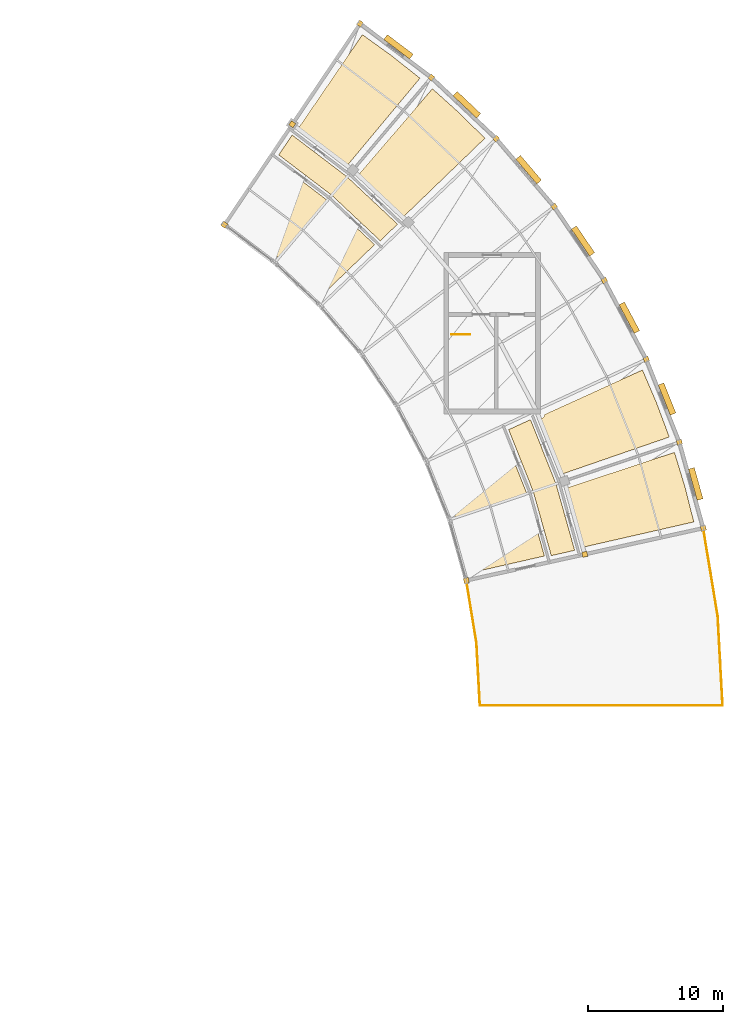
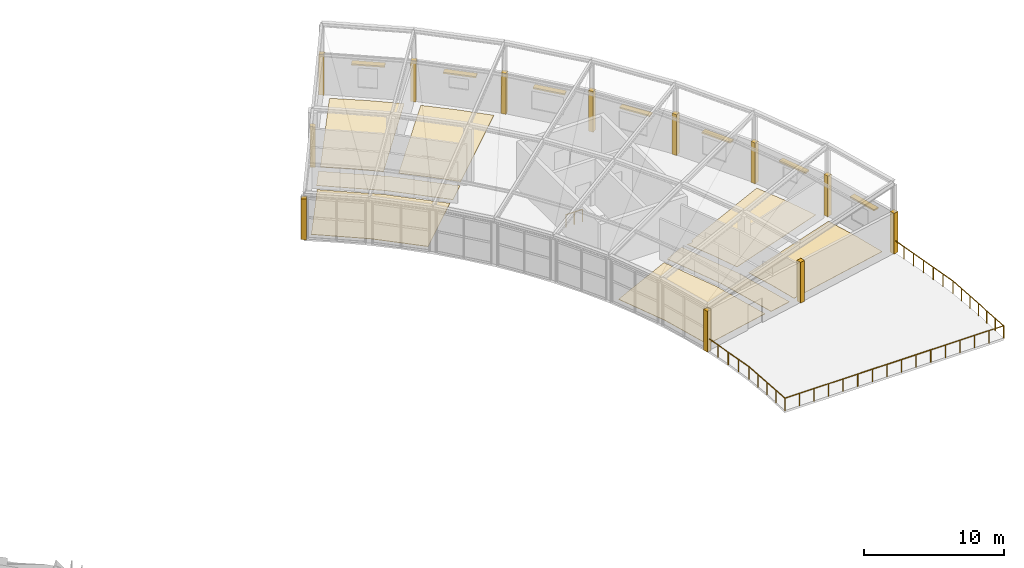
# One storey, part 35 of 36: 20 coverings, 7 shading devices, 6 railings.
"""IFC4 building model written with IfcOpenShell, lengths in metres."""

from ifc_helpers import new_model, si_unit, direction, frame, origin, origin_2d, place, context, subcontext, project, spatial, polyline, rectangle, circle, outline, extrude, material, layer, layer_set, type_object, element, save


model = new_model("IFC4")

# Units and contexts
model_context = context("Model", 3, precision=1e-05, world=origin(), true_north=direction((0.0, 1.0)))
body_context = subcontext(model_context, "Body", "Model", "MODEL_VIEW")
ifc_project = project(units=[si_unit("LENGTHUNIT", "METRE"), si_unit("AREAUNIT", "SQUARE_METRE"), si_unit("VOLUMEUNIT", "CUBIC_METRE"), si_unit("PLANEANGLEUNIT", "RADIAN"), si_unit("MASSUNIT", "GRAM", prefix="KILO")], contexts=[model_context])

# Site, building, storey
site_placement = place(None, origin())
site = spatial("IfcSite", under=ifc_project, at=site_placement, CompositionType="ELEMENT")
building_placement = place(site_placement, origin())
building = spatial("IfcBuilding", under=site, at=building_placement, Name="Tarnveldt Headland Concert Hall", CompositionType="ELEMENT")
storey_placement = place(building_placement, frame((0.0, 0.0, 22.800048828125)))
storey = spatial("IfcBuildingStorey", under=building, at=storey_placement, Name="L05", CompositionType="ELEMENT", Elevation=22.800048828125)

# Coverings
ifc_material_1 = material(Name="Treated East African mvule hardwood", Category="wood")
ifc_layer_1 = layer(ifc_material_1, 0.028076171875, Name="Treated East African mvule hardwood", Category="wood")
ifc_layer_set_1 = layer_set([ifc_layer_1], Name="Treated East African mvule hardwood")
covering_type_1 = type_object("IfcCoveringType", Name="CV-FLOR28", PredefinedType="FLOORING", material=ifc_layer_set_1)
covering_1_placement = place(storey_placement, origin())
element("IfcCovering", 1, at=covering_1_placement, inside=storey, type_object=covering_type_1, Name="Architectural flooring L05-15-140", PredefinedType="FLOORING", context=body_context, shape_type="SweptSolid", body=[
    extrude(outline(polyline([(168.018310546875, 71.703369140625), (167.46142578125, 73.9033203125), (167.459228515625, 73.91162109375), (166.799072265625, 76.082763671875), (174.927490234375, 78.765869140625), (175.706787109375, 76.202880859375), (176.364013671875, 73.606201171875), (168.018310546875, 71.703369140625)])), origin(), (0.0, 0.0, 1.0), 0.02783203125),
])
ifc_material_2 = material(Name="Polished coral-aggregate cementitious terrazzo flooring", Category="concrete")
ifc_layer_2 = layer(ifc_material_2, 0.034912109375, Name="Polished coral-aggregate cementitious terrazzo flooring", Category="concrete")
ifc_layer_set_2 = layer_set([ifc_layer_2], Name="Polished coral-aggregate cementitious terrazzo flooring")
covering_type_2 = type_object("IfcCoveringType", Name="CV-FLOR35", PredefinedType="FLOORING", material=ifc_layer_set_2)
covering_2_placement = place(storey_placement, origin())
element("IfcCovering", 2, at=covering_2_placement, inside=storey, type_object=covering_type_2, Name="Architectural flooring L05-11-136", PredefinedType="FLOORING", context=body_context, shape_type="SweptSolid", body=[
    extrude(outline(polyline([(165.79052734375, 71.106689453125), (164.455810546875, 75.853515625), (164.44970703125, 75.87109375), (162.63232421875, 80.45458984375), (164.25048828125, 81.195068359375), (166.13916015625, 76.431884765625), (167.526123046875, 71.499267578125), (165.79052734375, 71.106689453125)])), origin(), (0.0, 0.0, 1.0), 0.034912109375),
])
covering_3_placement = place(storey_placement, origin())
element("IfcCovering", 3, at=covering_3_placement, inside=storey, type_object=covering_type_2, Name="Architectural flooring L05-12-137", PredefinedType="FLOORING", context=body_context, shape_type="SweptSolid", body=[
    extrude(outline(polyline([(153.10595703125, 94.460693359375), (149.510498046875, 97.835205078125), (149.496337890625, 97.84716796875), (145.572021484375, 100.83251953125), (146.57470703125, 102.302490234375), (150.65283203125, 99.2001953125), (154.38916015625, 95.69384765625), (153.10595703125, 94.460693359375)])), origin(), (0.0, 0.0, 1.0), 0.034912109375),
])
covering_4_placement = place(storey_placement, origin())
element("IfcCovering", 4, at=covering_4_placement, inside=storey, type_object=covering_type_2, Name="Architectural flooring L05-13-138", PredefinedType="FLOORING", context=body_context, shape_type="SweptSolid", body=[
    extrude(outline(polyline([(159.84326171875, 69.83935546875), (158.695556640625, 73.90771484375), (158.689697265625, 73.9248046875), (157.135009765625, 77.855712890625), (162.212890625, 80.16845703125), (163.97900390625, 75.7021484375), (165.283203125, 71.07958984375), (159.84326171875, 69.83935546875)])), origin(), (0.0, 0.0, 1.0), 0.034912109375),
])
covering_5_placement = place(storey_placement, origin())
element("IfcCovering", 5, at=covering_5_placement, inside=storey, type_object=covering_type_2, Name="Architectural flooring L05-14-139", PredefinedType="FLOORING", context=body_context, shape_type="SweptSolid", body=[
    extrude(outline(polyline([(148.6689453125, 90.302734375), (145.584228515625, 93.19287109375), (145.5703125, 93.20458984375), (142.208251953125, 95.766845703125), (145.360595703125, 100.37060546875), (149.180419921875, 97.45947265625), (152.685546875, 94.175537109375), (148.6689453125, 90.302734375)])), origin(), (0.0, 0.0, 1.0), 0.034912109375),
])
covering_6_placement = place(storey_placement, origin())
element("IfcCovering", 6, at=covering_6_placement, inside=storey, type_object=covering_type_2, Name="Architectural flooring L05-16-141", PredefinedType="FLOORING", context=body_context, shape_type="SweptSolid", body=[
    extrude(outline(polyline([(165.10009765625, 81.320068359375), (165.11767578125, 81.32080078125), (165.135009765625, 81.323486328125), (165.15234375, 81.327880859375), (165.1689453125, 81.333740234375), (165.184814453125, 81.34130859375), (165.199951171875, 81.350341796875), (165.214111328125, 81.36083984375), (165.227294921875, 81.372802734375), (165.239013671875, 81.3857421875), (165.249755859375, 81.39990234375), (165.2587890625, 81.4150390625), (165.266357421875, 81.43115234375), (165.272216796875, 81.44775390625), (165.276611328125, 81.46484375), (165.279052734375, 81.482421875), (165.280029296875, 81.5), (165.280029296875, 81.565673828125), (172.555419921875, 84.87939453125), (173.60791015625, 82.416259765625), (174.54248046875, 79.906005859375), (166.4521484375, 77.10986328125), (165.660400390625, 79.236572265625), (165.656982421875, 79.244384765625), (164.7705078125, 81.320068359375), (165.10009765625, 81.320068359375)])), origin(), (0.0, 0.0, 1.0), 0.034912109375),
])
covering_7_placement = place(storey_placement, origin())
element("IfcCovering", 7, at=covering_7_placement, inside=storey, type_object=covering_type_2, Name="Architectural flooring L05-17-142", PredefinedType="FLOORING", context=body_context, shape_type="SweptSolid", body=[
    extrude(outline(polyline([(154.759765625, 96.175537109375), (154.704833984375, 96.122802734375), (153.091552734375, 97.71875), (153.08544921875, 97.724609375), (151.398193359375, 99.2421875), (151.43017578125, 99.279296875), (151.504150390625, 99.279296875), (151.504150390625, 99.36572265625), (156.971435546875, 105.739501953125), (158.962646484375, 103.94775390625), (160.866943359375, 102.064208984375), (154.84326171875, 96.256103515625), (154.759765625, 96.256103515625), (154.759765625, 96.175537109375)])), origin(), (0.0, 0.0, 1.0), 0.034912109375),
])
covering_8_placement = place(storey_placement, origin())
element("IfcCovering", 8, at=covering_8_placement, inside=storey, type_object=covering_type_2, Name="Architectural flooring L05-18-143", PredefinedType="FLOORING", context=body_context, shape_type="SweptSolid", body=[
    extrude(outline(polyline([(150.654296875, 100.04248046875), (150.570556640625, 99.9423828125), (148.793701171875, 101.35400390625), (148.787109375, 101.359130859375), (146.94580078125, 102.68505859375), (147.0029296875, 102.68505859375), (147.0029296875, 102.76953125), (151.781494140625, 109.748046875), (153.955078125, 108.182861328125), (156.052490234375, 106.5166015625), (150.7265625, 100.12939453125), (150.654296875, 100.12939453125), (150.654296875, 100.04248046875)])), origin(), (0.0, 0.0, 1.0), 0.034912109375),
])
ifc_material_3 = material(Name="Coral-toned precast concrete C40/50", Category="concrete")
ifc_layer_3 = layer(ifc_material_3, 0.360107421875, Name="Coral-toned precast concrete C40/50", Category="concrete")
ifc_layer_set_3 = layer_set([ifc_layer_3], Name="Coral-toned precast concrete C40/50")
covering_type_3 = type_object("IfcCoveringType", Name="CV-JNT360", PredefinedType="CLADDING", material=ifc_layer_set_3)
for number, where, z_axis, x_axis, name in (
    (9, (141.54541015625, 95.648681640625, 0.0), (0.0, 0.0, 1.0), (0.559192903471, 0.829037572555, 0.0), "Precast facade joint closure pilaster L05-383"),
    (10, (146.577880859375, 103.110107421875, 0.0), (0.0, 0.0, 1.0), (0.559192903471, 0.829037572555, 0.0), "Precast facade joint closure pilaster L05-384"),
    (11, (151.61083984375, 110.5712890625, 0.0), (0.0, 0.0, 1.0), (0.797478637023, -0.603347183213, 0.0), "Precast facade joint closure pilaster L05-385"),
):
    element("IfcCovering", number, at=place(storey_placement, frame(where, z_axis=z_axis, x_axis=x_axis)), inside=storey, type_object=covering_type_3, Name=name, PredefinedType="CLADDING", context=body_context, shape_type="SweptSolid", body=[
        extrude(rectangle(XDim=0.3798828125, YDim=0.3798828125, at=origin_2d()), origin(), (0.0, 0.0, 1.0), 3.5380859375),
    ])
for number, where, z_axis, x_axis, name in (
    (12, (156.89111328125, 106.576416015625, 0.0), (0.0, 0.0, 1.0), (0.727413564262, -0.686199319824, 0.0), "Precast facade joint closure pilaster L05-386"),
    (13, (159.48974609375, 69.26611328125, 0.0), (0.0, 0.0, 1.0), (-0.976522126798, -0.215417120661, 0.0), "Precast facade joint closure pilaster L05-387"),
    (14, (161.70703125, 102.032470703125, 0.0), (0.0, 0.0, 1.0), (0.648651397111, -0.761085648942, 0.0), "Precast facade joint closure pilaster L05-388"),
    (15, (166.00244140625, 96.993408203125, 0.0), (0.0, 0.0, 1.0), (0.562372049186, -0.826884319778, 0.0), "Precast facade joint closure pilaster L05-389"),
    (16, (168.2783203125, 71.20556640625, 0.0), (0.0, 0.0, 1.0), (-0.976522126798, -0.215417120661, 0.0), "Precast facade joint closure pilaster L05-390"),
    (17, (169.726318359375, 91.518798828125, 0.0), (0.0, 0.0, 1.0), (0.469471562786, -0.882947592859, 0.0), "Precast facade joint closure pilaster L05-391"),
    (18, (172.834716796875, 85.672607421875, 0.0), (0.0, 0.0, 1.0), (0.371043710237, -0.928615402141, 0.0), "Precast facade joint closure pilaster L05-392"),
    (19, (175.291259765625, 79.523681640625, 0.0), (0.0, 0.0, 1.0), (0.268079200424, -0.963396876837, 0.0), "Precast facade joint closure pilaster L05-393"),
    (20, (177.06689453125, 73.14501953125, 0.0), (0.0, 0.0, 1.0), (0.268079200424, -0.963396876837, 0.0), "Precast facade joint closure pilaster L05-394"),
):
    element("IfcCovering", number, at=place(storey_placement, frame(where, z_axis=z_axis, x_axis=x_axis)), inside=storey, type_object=covering_type_3, Name=name, PredefinedType="CLADDING", context=body_context, shape_type="SweptSolid", body=[
        extrude(rectangle(XDim=0.3798828125, YDim=0.3798828125, at=origin_2d()), origin(), (0.0, 0.0, 1.0), 3.54296875),
    ])

# Railings
ifc_material_4 = material(Name="Marine stainless steel", Category="steel")
ifc_layer_4 = layer(ifc_material_4, 0.074951171875, Name="Marine stainless steel", Category="steel")
ifc_layer_set_4 = layer_set([ifc_layer_4], Name="Marine stainless steel")
railing_type_1 = type_object("IfcRailingType", Name="RL-BAL110", PredefinedType="BALUSTRADE", material=ifc_layer_set_4)
railing_1_placement = place(storey_placement, frame((160.5, 60.0, 0.0)))
element("IfcRailing", 21, at=railing_1_placement, inside=storey, type_object=railing_type_1, Name="GUARD Crescent terrace south balustrade L05", PredefinedType="BALUSTRADE", context=body_context, shape_type="SweptSolid", body=[
    extrude(circle(Radius=0.02392578125, at=origin_2d()), frame((0.0, 0.0, 1.076171875), z_axis=(1.0, 0.0, 0.0), x_axis=(0.0, 1.0, 0.0)), (0.0, 0.0, 1.0), 18.0),
    extrude(circle(Radius=0.02099609375, at=origin_2d()), origin(), (0.0, 0.0, 1.0), 1.052001953125),
    extrude(circle(Radius=0.02099609375, at=origin_2d()), frame((1.199951171875, 0.0, 0.0)), (0.0, 0.0, 1.0), 1.052001953125),
    extrude(circle(Radius=0.02099609375, at=origin_2d()), frame((2.39990234375, 0.0, 0.0)), (0.0, 0.0, 1.0), 1.052001953125),
    extrude(circle(Radius=0.02099609375, at=origin_2d()), frame((3.60009765625, 0.0, 0.0)), (0.0, 0.0, 1.0), 1.052001953125),
    extrude(circle(Radius=0.02099609375, at=origin_2d()), frame((4.800048828125, 0.0, 0.0)), (0.0, 0.0, 1.0), 1.052001953125),
    extrude(circle(Radius=0.02099609375, at=origin_2d()), frame((6.0, 0.0, 0.0)), (0.0, 0.0, 1.0), 1.052001953125),
    extrude(circle(Radius=0.02099609375, at=origin_2d()), frame((7.199951171875, 0.0, 0.0)), (0.0, 0.0, 1.0), 1.052001953125),
    extrude(circle(Radius=0.02099609375, at=origin_2d()), frame((8.39990234375, 0.0, 0.0)), (0.0, 0.0, 1.0), 1.052001953125),
    extrude(circle(Radius=0.02099609375, at=origin_2d()), frame((9.60009765625, 0.0, 0.0)), (0.0, 0.0, 1.0), 1.052001953125),
    extrude(circle(Radius=0.02099609375, at=origin_2d()), frame((10.800048828125, 0.0, 0.0)), (0.0, 0.0, 1.0), 1.052001953125),
    extrude(circle(Radius=0.02099609375, at=origin_2d()), frame((12.0, 0.0, 0.0)), (0.0, 0.0, 1.0), 1.052001953125),
    extrude(circle(Radius=0.02099609375, at=origin_2d()), frame((13.199951171875, 0.0, 0.0)), (0.0, 0.0, 1.0), 1.052001953125),
    extrude(circle(Radius=0.02099609375, at=origin_2d()), frame((14.39990234375, 0.0, 0.0)), (0.0, 0.0, 1.0), 1.052001953125),
    extrude(circle(Radius=0.02099609375, at=origin_2d()), frame((15.60009765625, 0.0, 0.0)), (0.0, 0.0, 1.0), 1.052001953125),
    extrude(circle(Radius=0.02099609375, at=origin_2d()), frame((16.800048828125, 0.0, 0.0)), (0.0, 0.0, 1.0), 1.052001953125),
    extrude(circle(Radius=0.02099609375, at=origin_2d()), frame((18.0, 0.0, 0.0)), (0.0, 0.0, 1.0), 1.052001953125),
])
railing_2_placement = place(storey_placement, frame((160.5, 60.0, 0.0)))
element("IfcRailing", 22, at=railing_2_placement, inside=storey, type_object=railing_type_1, Name="GUARD Crescent terrace inner balustrade L05-9", PredefinedType="BALUSTRADE", context=body_context, shape_type="SweptSolid", body=[
    extrude(circle(Radius=0.02392578125, at=origin_2d()), frame((0.0, 0.0, 1.076171875), z_axis=(-0.054293816294, 0.998525002948, 0.0), x_axis=(-0.998525002948, -0.054293816294, 0.0)), (0.0, 0.0, 1.0), 4.66748046875),
    extrude(circle(Radius=0.02099609375, at=origin_2d()), origin(), (0.0, 0.0, 1.0), 1.052001953125),
    extrude(circle(Radius=0.02099609375, at=origin_2d()), frame((-0.0634765625, 1.1650390625, 0.0)), (0.0, 0.0, 1.0), 1.052001953125),
    extrude(circle(Radius=0.02099609375, at=origin_2d()), frame((-0.126708984375, 2.330322265625, 0.0)), (0.0, 0.0, 1.0), 1.052001953125),
    extrude(circle(Radius=0.02099609375, at=origin_2d()), frame((-0.18994140625, 3.49560546875, 0.0)), (0.0, 0.0, 1.0), 1.052001953125),
    extrude(circle(Radius=0.02099609375, at=origin_2d()), frame((-0.25341796875, 4.66064453125, 0.0)), (0.0, 0.0, 1.0), 1.052001953125),
])
railing_3_placement = place(storey_placement, frame((178.5, 60.0, 0.0)))
element("IfcRailing", 23, at=railing_3_placement, inside=storey, type_object=railing_type_1, Name="GUARD Crescent terrace outer balustrade L05-9", PredefinedType="BALUSTRADE", context=body_context, shape_type="SweptSolid", body=[
    extrude(circle(Radius=0.02392578125, at=origin_2d()), frame((0.0, 0.0, 1.076171875), z_axis=(-0.05427533265, 0.998526007806, 0.0), x_axis=(-0.998526007806, -0.05427533265, 0.0)), (0.0, 0.0, 1.0), 6.621337890625),
    extrude(circle(Radius=0.02099609375, at=origin_2d()), origin(), (0.0, 0.0, 1.0), 1.052001953125),
    extrude(circle(Radius=0.02099609375, at=origin_2d()), frame((-0.059814453125, 1.10205078125, 0.0)), (0.0, 0.0, 1.0), 1.052001953125),
    extrude(circle(Radius=0.02099609375, at=origin_2d()), frame((-0.119873046875, 2.203857421875, 0.0)), (0.0, 0.0, 1.0), 1.052001953125),
    extrude(circle(Radius=0.02099609375, at=origin_2d()), frame((-0.1796875, 3.3056640625, 0.0)), (0.0, 0.0, 1.0), 1.052001953125),
    extrude(circle(Radius=0.02099609375, at=origin_2d()), frame((-0.239501953125, 4.40771484375, 0.0)), (0.0, 0.0, 1.0), 1.052001953125),
    extrude(circle(Radius=0.02099609375, at=origin_2d()), frame((-0.299560546875, 5.509765625, 0.0)), (0.0, 0.0, 1.0), 1.052001953125),
    extrude(circle(Radius=0.02099609375, at=origin_2d()), frame((-0.359375, 6.611572265625, 0.0)), (0.0, 0.0, 1.0), 1.052001953125),
])
railing_4_placement = place(storey_placement, frame((160.24658203125, 64.66064453125, 0.0)))
element("IfcRailing", 24, at=railing_4_placement, inside=storey, type_object=railing_type_1, Name="GUARD Crescent terrace inner balustrade L05-10", PredefinedType="BALUSTRADE", context=body_context, shape_type="SweptSolid", body=[
    extrude(circle(Radius=0.02392578125, at=origin_2d()), frame((0.0, 0.0, 1.076171875), z_axis=(-0.162159155586, 0.986764616441, 0.0), x_axis=(-0.986764616441, -0.162159155586, 0.0)), (0.0, 0.0, 1.0), 4.667236328125),
    extrude(circle(Radius=0.02099609375, at=origin_2d()), origin(), (0.0, 0.0, 1.0), 1.052001953125),
    extrude(circle(Radius=0.02099609375, at=origin_2d()), frame((-0.189208984375, 1.1513671875, 0.0)), (0.0, 0.0, 1.0), 1.052001953125),
    extrude(circle(Radius=0.02099609375, at=origin_2d()), frame((-0.37841796875, 2.302734375, 0.0)), (0.0, 0.0, 1.0), 1.052001953125),
    extrude(circle(Radius=0.02099609375, at=origin_2d()), frame((-0.567626953125, 3.4541015625, 0.0)), (0.0, 0.0, 1.0), 1.052001953125),
    extrude(circle(Radius=0.02099609375, at=origin_2d()), frame((-0.7568359375, 4.60546875, 0.0)), (0.0, 0.0, 1.0), 1.052001953125),
])
railing_5_placement = place(storey_placement, frame((178.140625, 66.611572265625, 0.0)))
element("IfcRailing", 25, at=railing_5_placement, inside=storey, type_object=railing_type_1, Name="GUARD Crescent terrace outer balustrade L05-10", PredefinedType="BALUSTRADE", context=body_context, shape_type="SweptSolid", body=[
    extrude(circle(Radius=0.02392578125, at=origin_2d()), frame((0.0, 0.0, 1.076171875), z_axis=(-0.162168238057, 0.986763123838, 0.0), x_axis=(-0.986763123838, -0.162168238057, 0.0)), (0.0, 0.0, 1.0), 6.62109375),
    extrude(circle(Radius=0.02099609375, at=origin_2d()), origin(), (0.0, 0.0, 1.0), 1.052001953125),
    extrude(circle(Radius=0.02099609375, at=origin_2d()), frame((-0.178955078125, 1.0888671875, 0.0)), (0.0, 0.0, 1.0), 1.052001953125),
    extrude(circle(Radius=0.02099609375, at=origin_2d()), frame((-0.35791015625, 2.177734375, 0.0)), (0.0, 0.0, 1.0), 1.052001953125),
    extrude(circle(Radius=0.02099609375, at=origin_2d()), frame((-0.536865234375, 3.2666015625, 0.0)), (0.0, 0.0, 1.0), 1.052001953125),
    extrude(circle(Radius=0.02099609375, at=origin_2d()), frame((-0.7158203125, 4.355712890625, 0.0)), (0.0, 0.0, 1.0), 1.052001953125),
    extrude(circle(Radius=0.02099609375, at=origin_2d()), frame((-0.894775390625, 5.444580078125, 0.0)), (0.0, 0.0, 1.0), 1.052001953125),
    extrude(circle(Radius=0.02099609375, at=origin_2d()), frame((-1.07373046875, 6.533447265625, 0.0)), (0.0, 0.0, 1.0), 1.052001953125),
])
ifc_layer_5 = layer(ifc_material_4, 0.06005859375, Name="Marine stainless steel", Category="steel")
ifc_layer_set_5 = layer_set([ifc_layer_5], Name="Marine stainless steel")
railing_type_2 = type_object("IfcRailingType", Name="RL-GRD110", PredefinedType="GUARDRAIL", material=ifc_layer_set_5)
railing_6_placement = place(storey_placement, frame((158.39990234375, 87.52001953125, 0.0)))
element("IfcRailing", 26, at=railing_6_placement, inside=storey, type_object=railing_type_2, Name="GUARD STR-C3-L04 top well edge", PredefinedType="GUARDRAIL", context=body_context, shape_type="SweptSolid", body=[
    extrude(circle(Radius=0.02392578125, at=origin_2d()), frame((0.0, 0.0, 1.076171875), z_axis=(1.0, 0.0, 0.0), x_axis=(0.0, 1.0, 0.0)), (0.0, 0.0, 1.0), 1.35009765625),
    extrude(circle(Radius=0.02099609375, at=origin_2d()), origin(), (0.0, 0.0, 1.0), 1.052001953125),
    extrude(circle(Radius=0.02099609375, at=origin_2d()), frame((0.675048828125, 0.0, 0.0)), (0.0, 0.0, 1.0), 1.052001953125),
    extrude(circle(Radius=0.02099609375, at=origin_2d()), frame((1.35009765625, 0.0, 0.0)), (0.0, 0.0, 1.0), 1.052001953125),
])

# Shading devices
ifc_material_5 = material(Name="Terracotta-anodised aluminium EN AW-6063-T6", Category="masonry")
shading_device_type = type_object("IfcShadingDeviceType", Name="SD-LVR450", PredefinedType="USERDEFINED", material=ifc_material_5)
for number, where, z_axis, x_axis, name in (
    (27, (176.506591796875, 76.425537109375, 2.469970703125), (0.0, 0.0, 1.0), (0.963350073517, 0.268247340815, 0.0), "Crescent coastal solar louvre L05-12"),
    (28, (174.378662109375, 82.724365234375, 2.56982421875), (0.0, 0.0, 1.0), (0.928615402141, 0.371043710237, 0.0), "Crescent coastal solar louvre L05-13"),
    (29, (171.580810546875, 88.755126953125, 2.469970703125), (0.0, 0.0, 1.0), (0.882947592859, 0.469471562786, 0.0), "Crescent coastal solar louvre L05-14"),
    (30, (168.1455078125, 94.447265625, 2.469970703125), (0.0, 0.0, 1.0), (0.826884319778, 0.562372049186, 0.0), "Crescent coastal solar louvre L05-15"),
    (31, (164.113525390625, 99.733642578125, 2.469970703125), (0.0, 0.0, 1.0), (0.761085648942, 0.648651397111, 0.0), "Crescent coastal solar louvre L05-16"),
    (32, (159.532470703125, 104.5517578125, 2.56982421875), (0.0, 0.0, 1.0), (0.686199319824, 0.727413564262, 0.0), "Crescent coastal solar louvre L05-17"),
    (33, (154.4560546875, 108.844970703125, 2.56982421875), (0.0, 0.0, 1.0), (0.603347183213, 0.797478637023, 0.0), "Crescent coastal solar louvre L05-18"),
):
    element("IfcShadingDevice", number, at=place(storey_placement, frame(where, z_axis=z_axis, x_axis=x_axis)), inside=storey, type_object=shading_device_type, Name=name, ObjectType="LOUVRE", PredefinedType="USERDEFINED", context=body_context, shape_type="SweptSolid", body=[
        extrude(rectangle(XDim=0.449951171875, YDim=2.39990234375, at=origin_2d()), origin(), (0.0, 0.0, 1.0), 0.1201171875),
    ])

save(model, "model.ifc")
